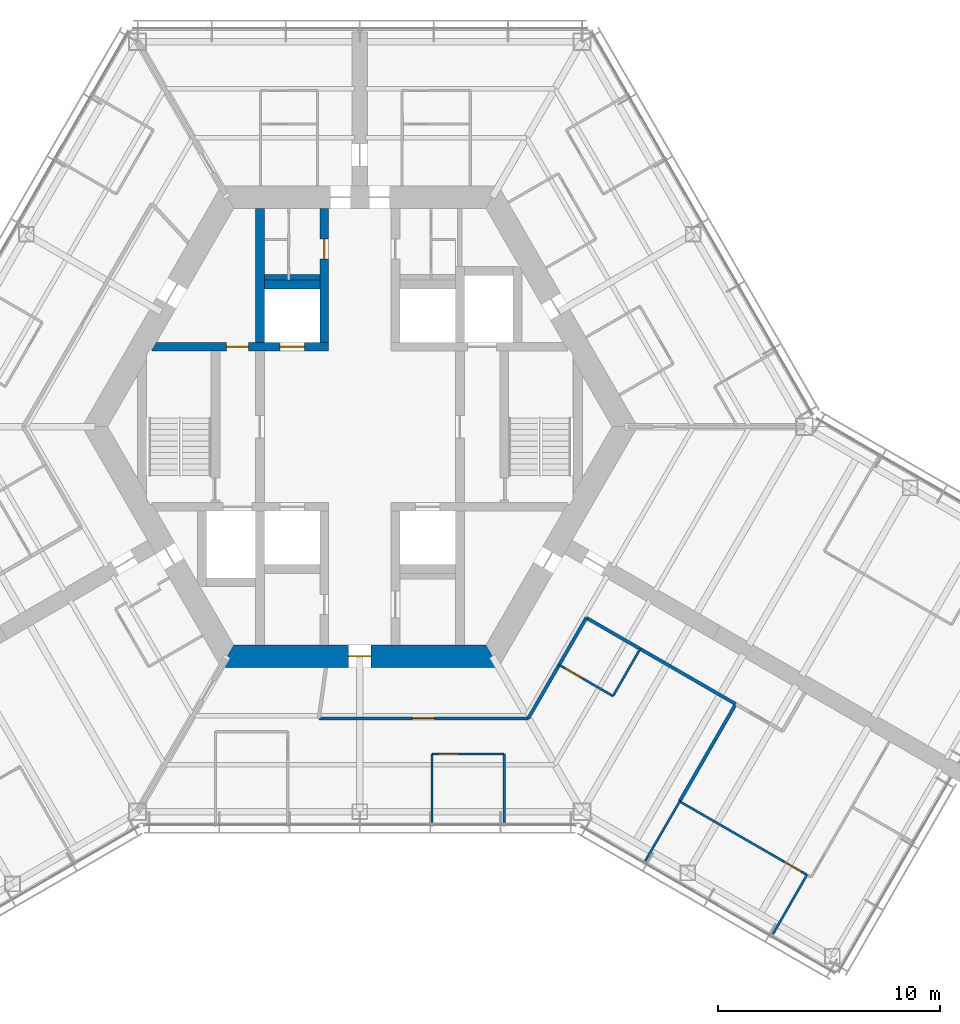
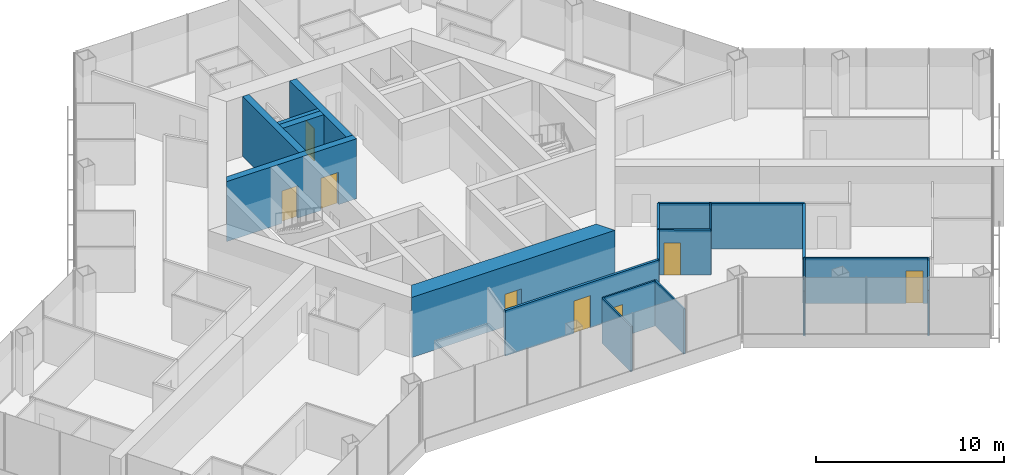
# One storey, part 13 of 19: 20 walls, 8 doors, 8 openings.
"""IFC4 building model written with IfcOpenShell, lengths in metres."""

from ifc_helpers import new_model, si_unit, direction, frame, frame_2d, origin, place, context, subcontext, project, spatial, polyline, rectangle, outline, extrude, material, layer, layer_set, type_object, element, fill, save


model = new_model("IFC4")

# Units and contexts
model_context = context("Model", 3, precision=1e-05, world=origin(), true_north=direction((0.0, 1.0)))
body_context = subcontext(model_context, "Body", "Model", "MODEL_VIEW")
ifc_project = project(units=[si_unit("LENGTHUNIT", "METRE"), si_unit("AREAUNIT", "SQUARE_METRE"), si_unit("VOLUMEUNIT", "CUBIC_METRE"), si_unit("PLANEANGLEUNIT", "RADIAN"), si_unit("MASSUNIT", "GRAM", prefix="KILO")], contexts=[model_context])

# Site, building, storey
site_placement = place(None, origin())
site = spatial("IfcSite", under=ifc_project, at=site_placement, CompositionType="ELEMENT")
building_placement = place(site_placement, origin())
building = spatial("IfcBuilding", under=site, at=building_placement, Name="Kasaneha Research Tower", CompositionType="ELEMENT")
storey_placement = place(building_placement, frame((0.0, 0.0, 164.300048828125)))
storey = spatial("IfcBuildingStorey", under=building, at=storey_placement, Name="L41", CompositionType="ELEMENT", Elevation=164.300048828125)

# Wall, openings, doors
ifc_material_1 = material(Name="Concrete Fc70", Category="concrete")
ifc_layer_1 = layer(ifc_material_1, 0.39990234375)
ifc_layer_set_1 = layer_set([ifc_layer_1], Name="Core internal wall 400 Fc70")
wall_type_1 = type_object("IfcWallType", Name="Core internal wall 400 Fc70", PredefinedType="SHEAR", material=ifc_layer_set_1)
wall_1_placement = place(storey_placement, frame((-9.266357421875, 3.60009765625, 0.0), z_axis=(0.0, 0.0, 1.0), x_axis=(1.0, 0.0, 0.0)))
wall_1 = element("IfcWall", 1, at=wall_1_placement, inside=storey, type_object=wall_type_1, Name="Core wall W1W L41", PredefinedType="SHEAR", context=body_context, shape_type="SweptSolid", body=[
    extrude(outline(polyline([(-0.115478515625, -0.199951171875), (3.266357421875, -0.199951171875), (4.266357421875, -0.199951171875), (5.66650390625, -0.199951171875), (6.7666015625, -0.199951171875), (7.866455078125, -0.199951171875), (7.866455078125, 0.199951171875), (6.7666015625, 0.199951171875), (5.66650390625, 0.199951171875), (4.266357421875, 0.199951171875), (3.266357421875, 0.199951171875), (0.115478515625, 0.199951171875), (-0.115478515625, -0.199951171875)])), origin(), (0.0, 0.0, 1.0), 3.89990234375),
])
opening_1_placement = place(wall_1_placement, frame((3.266357421875, 0.0, 0.0)))
opening_1 = element("IfcOpeningElement", 2, at=opening_1_placement, cuts=wall_1, Name="Opening L41-D12", PredefinedType="OPENING", context=body_context, shape_type="SweptSolid", body=[
    extrude(rectangle(XDim=1.0, YDim=2.10009765625, at=frame_2d((0.5, 1.050048828125))), frame((0.0, 0.2099609375, 0.0), z_axis=(0.0, -1.0, 0.0), x_axis=(1.0, 0.0, 0.0)), (0.0, 0.0, 1.0), 0.419921875),
])
opening_2_placement = place(wall_1_placement, frame((5.66650390625, 0.0, 0.0)))
opening_2 = element("IfcOpeningElement", 3, at=opening_2_placement, cuts=wall_1, Name="Opening LD-LM1-L41", PredefinedType="OPENING", context=body_context, shape_type="SweptSolid", body=[
    extrude(rectangle(XDim=1.10009765625, YDim=2.10009765625, at=frame_2d((0.550048828125, 1.050048828125))), frame((0.0, 0.2099609375, 0.0), z_axis=(0.0, -1.0, 0.0), x_axis=(1.0, 0.0, 0.0)), (0.0, 0.0, 1.0), 0.419921875),
])
ifc_material_2 = material(Name="Steel", Category="steel")
door_type_1 = type_object("IfcDoorType", Name="Lift landing door 1100x2100", OperationType="DOUBLE_DOOR_SLIDING", PredefinedType="DOOR", material=ifc_material_2)
door_1_placement = place(opening_2_placement, origin())
door_1 = element("IfcDoor", 4, at=door_1_placement, inside=storey, type_object=door_type_1, Name="Landing door LM1 LD-LM1-L41", OperationType="DOUBLE_DOOR_SLIDING", OverallHeight=2.10009765625, OverallWidth=1.10009765625, PredefinedType="DOOR", context=body_context, shape_type="SweptSolid", body=[
    extrude(rectangle(XDim=1.10009765625, YDim=2.10009765625, at=frame_2d((0.550048828125, 1.050048828125))), frame((0.0, 0.02490234375, 0.0), z_axis=(0.0, -1.0, 0.0), x_axis=(1.0, 0.0, 0.0)), (0.0, 0.0, 1.0), 0.050048828125),
])
fill(opening_2, door_1)
ifc_material_3 = material(Name="Steel", Category="steel")
door_type_2 = type_object("IfcDoorType", Name="Specified fire door FD60 1000x2100", OperationType="NOTDEFINED", PredefinedType="DOOR", material=ifc_material_3)
door_2_placement = place(opening_1_placement, origin())
door_2 = element("IfcDoor", 5, at=door_2_placement, inside=storey, type_object=door_type_2, Name="Vestibule to lobby door L41-D12", OperationType="SINGLE_SWING_LEFT", OverallHeight=2.10009765625, OverallWidth=1.0, PredefinedType="DOOR", context=body_context, shape_type="SweptSolid", body=[
    extrude(rectangle(XDim=1.0, YDim=2.10009765625, at=frame_2d((0.5, 1.050048828125))), frame((0.0, 0.02490234375, 0.0), z_axis=(0.0, -1.0, 0.0), x_axis=(1.0, 0.0, 0.0)), (0.0, 0.0, 1.0), 0.050048828125),
])
fill(opening_1, door_2)

# Wall, opening, door
wall_2_placement = place(storey_placement, frame((-1.60009765625, 3.800048828125, 0.0), z_axis=(0.0, 0.0, 1.0), x_axis=(0.0, 1.0, 0.0)))
wall_2 = element("IfcWall", 6, at=wall_2_placement, inside=storey, type_object=wall_type_1, Name="Core wall CNW L41", PredefinedType="SHEAR", context=body_context, shape_type="SweptSolid", body=[
    extrude(rectangle(XDim=6.02490234375, YDim=0.39990234375, at=frame_2d((3.012451171875, 0.0))), origin(), (0.0, 0.0, 1.0), 3.89990234375),
])
opening_3_placement = place(wall_2_placement, frame((3.75, 0.0, 0.0)))
opening_3 = element("IfcOpeningElement", 7, at=opening_3_placement, cuts=wall_2, Name="Opening L41-D13", PredefinedType="OPENING", context=body_context, shape_type="SweptSolid", body=[
    extrude(rectangle(XDim=0.89990234375, YDim=2.10009765625, at=frame_2d((0.449951171875, 1.050048828125))), frame((0.0, 0.2099609375, 0.0), z_axis=(0.0, -1.0, 0.0), x_axis=(1.0, 0.0, 0.0)), (0.0, 0.0, 1.0), 0.419921875),
])
ifc_material_4 = material(Name="Steel", Category="steel")
door_type_3 = type_object("IfcDoorType", Name="Toilet door FD20 900x2100", OperationType="NOTDEFINED", PredefinedType="DOOR", material=ifc_material_4)
door_3_placement = place(opening_3_placement, origin())
door_3 = element("IfcDoor", 8, at=door_3_placement, inside=storey, type_object=door_type_3, Name="Men's WC door L41-D13", OperationType="SINGLE_SWING_LEFT", OverallHeight=2.10009765625, OverallWidth=0.89990234375, PredefinedType="DOOR", context=body_context, shape_type="SweptSolid", body=[
    extrude(rectangle(XDim=0.89990234375, YDim=2.10009765625, at=frame_2d((0.449951171875, 1.050048828125))), frame((0.0, 0.02490234375, 0.0), z_axis=(0.0, -1.0, 0.0), x_axis=(1.0, 0.0, 0.0)), (0.0, 0.0, 1.0), 0.050048828125),
])
fill(opening_3, door_3)

# Walls
wall_3_placement = place(storey_placement, frame((-4.5, 3.800048828125, 0.0), z_axis=(0.0, 0.0, 1.0), x_axis=(0.0, 1.0, 0.0)))
element("IfcWall", 9, at=wall_3_placement, inside=storey, type_object=wall_type_1, Name="Core wall VNW L41", PredefinedType="SHEAR", context=body_context, shape_type="SweptSolid", body=[
    extrude(rectangle(XDim=6.02490234375, YDim=0.39990234375, at=frame_2d((3.012451171875, 0.0))), origin(), (0.0, 0.0, 1.0), 3.89990234375),
])
wall_4_placement = place(storey_placement, frame((-4.300048828125, 6.39990234375, 0.0), z_axis=(0.0, 0.0, 1.0), x_axis=(1.0, 0.0, 0.0)))
element("IfcWall", 10, at=wall_4_placement, inside=storey, type_object=wall_type_1, Name="Core wall N1N L41", PredefinedType="SHEAR", context=body_context, shape_type="SweptSolid", body=[
    extrude(rectangle(XDim=2.5, YDim=0.39990234375, at=frame_2d((1.25, 0.0))), origin(), (0.0, 0.0, 1.0), 3.89990234375),
])

# Wall, opening, door
ifc_material_5 = material(Name="Concrete Fc70", Category="concrete")
ifc_layer_2 = layer(ifc_material_5, 1.0)
ifc_layer_set_2 = layer_set([ifc_layer_2], Name="Core wall 1000 Fc70")
wall_type_2 = type_object("IfcWallType", Name="Core wall 1000 Fc70", PredefinedType="SHEAR", material=ifc_layer_set_2)
wall_5_placement = place(storey_placement, frame((-5.961181640625, -10.324951171875, 0.0), z_axis=(0.0, 0.0, 1.0), x_axis=(1.0, 0.0, 0.0)))
wall_5 = element("IfcWall", 11, at=wall_5_placement, inside=storey, type_object=wall_type_2, Name="Core wall 270 L41", PredefinedType="SHEAR", context=body_context, shape_type="SweptSolid", body=[
    extrude(outline(polyline([(-0.28857421875, -0.5), (5.461181640625, -0.5), (6.461181640625, -0.5), (12.2109375, -0.5), (11.6337890625, 0.5), (6.461181640625, 0.5), (5.461181640625, 0.5), (0.28857421875, 0.5), (-0.28857421875, -0.5)])), origin(), (0.0, 0.0, 1.0), 3.89990234375),
])
opening_4_placement = place(wall_5_placement, frame((5.461181640625, 0.0, 0.0)))
opening_4 = element("IfcOpeningElement", 12, at=opening_4_placement, cuts=wall_5, Name="Opening L41-D03", PredefinedType="OPENING", context=body_context, shape_type="SweptSolid", body=[
    extrude(rectangle(XDim=1.0, YDim=2.10009765625, at=frame_2d((0.5, 1.050048828125))), frame((0.0, 0.510009765625, 0.0), z_axis=(0.0, -1.0, 0.0), x_axis=(1.0, 0.0, 0.0)), (0.0, 0.0, 1.0), 1.02001953125),
])
ifc_material_6 = material(Name="Steel", Category="steel")
door_type_4 = type_object("IfcDoorType", Name="Fire door FD20 1000x2100", OperationType="NOTDEFINED", PredefinedType="DOOR", material=ifc_material_6)
door_4_placement = place(opening_4_placement, origin())
door_4 = element("IfcDoor", 13, at=door_4_placement, inside=storey, type_object=door_type_4, Name="Core door south L41-D03", OperationType="SINGLE_SWING_LEFT", OverallHeight=2.10009765625, OverallWidth=1.0, PredefinedType="DOOR", context=body_context, shape_type="SweptSolid", body=[
    extrude(rectangle(XDim=1.0, YDim=2.10009765625, at=frame_2d((0.5, 1.050048828125))), frame((0.0, 0.02490234375, 0.0), z_axis=(0.0, -1.0, 0.0), x_axis=(1.0, 0.0, 0.0)), (0.0, 0.0, 1.0), 0.050048828125),
])
fill(opening_4, door_4)

ifc_material_7 = material(Name="Gypsum board on steel studs, one layer each side", Category="steel")
ifc_layer_3 = layer(ifc_material_7, 0.10009765625)
ifc_layer_set_3 = layer_set([ifc_layer_3], Name="Office partition 100")
wall_type_3 = type_object("IfcWallType", Name="Office partition 100", PredefinedType="PARTITIONING", material=ifc_layer_set_3)
wall_6_placement = place(storey_placement, frame((11.3916015625, -12.119384765625, 0.0), z_axis=(0.0, 0.0, 1.0), x_axis=(-0.865255114713, 0.501331812737, 0.0)))
wall_6 = element("IfcWall", 14, at=wall_6_placement, inside=storey, type_object=wall_type_3, Name="Office partition FCS09 L41", PredefinedType="PARTITIONING", context=body_context, shape_type="SweptSolid", body=[
    extrude(rectangle(XDim=2.800048828125, YDim=0.10009765625, at=frame_2d((1.39990234375, 0.0))), origin(), (0.0, 0.0, 1.0), 2.949951171875),
])
opening_5_placement = place(wall_6_placement, frame((1.60009765625, 0.0, 0.0)))
opening_5 = element("IfcOpeningElement", 15, at=opening_5_placement, cuts=wall_6, Name="Opening L41-D49", PredefinedType="OPENING", context=body_context, shape_type="SweptSolid", body=[
    extrude(rectangle(XDim=0.89990234375, YDim=2.10009765625, at=frame_2d((0.449951171875, 1.050048828125))), frame((0.0, 0.06005859375, 0.0), z_axis=(0.0, -1.0, 0.0), x_axis=(1.0, 0.0, 0.0)), (0.0, 0.0, 1.0), 0.1201171875),
])
ifc_material_8 = material(Name="Timber veneer", Category="wood")
door_type_5 = type_object("IfcDoorType", Name="Office door 900x2100", OperationType="SINGLE_SWING_LEFT", PredefinedType="DOOR", material=ifc_material_8)
door_5_placement = place(opening_5_placement, origin())
door_5 = element("IfcDoor", 16, at=door_5_placement, inside=storey, type_object=door_type_5, Name="Pantry door L41-D49", OperationType="SINGLE_SWING_RIGHT", OverallHeight=2.10009765625, OverallWidth=0.89990234375, PredefinedType="DOOR", context=body_context, shape_type="SweptSolid", body=[
    extrude(rectangle(XDim=0.89990234375, YDim=2.10009765625, at=frame_2d((0.449951171875, 1.050048828125))), frame((0.0, 0.02490234375, 0.0), z_axis=(0.0, -1.0, 0.0), x_axis=(1.0, 0.0, 0.0)), (0.0, 0.0, 1.0), 0.050048828125),
])
fill(opening_5, door_5)

# Walls
wall_7_placement = place(storey_placement, frame((12.612548828125, -9.995361328125, 0.0), z_axis=(0.0, 0.0, 1.0), x_axis=(-0.498358783585, -0.86697088926, 0.0)))
element("IfcWall", 17, at=wall_7_placement, inside=storey, type_object=wall_type_3, Name="Office partition FCS10 L41", PredefinedType="PARTITIONING", context=body_context, shape_type="SweptSolid", body=[
    extrude(rectangle(XDim=2.449951171875, YDim=0.10009765625, at=frame_2d((1.22509765625, 0.0))), origin(), (0.0, 0.0, 1.0), 2.949951171875),
])
wall_8_placement = place(storey_placement, frame((20.1201171875, -20.1611328125, 0.0), z_axis=(0.0, 0.0, 1.0), x_axis=(-0.498424956379, -0.866932847952, 0.0)))
element("IfcWall", 18, at=wall_8_placement, inside=storey, type_object=wall_type_3, Name="Office partition FCS11 L41", PredefinedType="PARTITIONING", context=body_context, shape_type="SweptSolid", body=[
    extrude(rectangle(XDim=3.080078125, YDim=0.10009765625, at=frame_2d((1.5400390625, 0.0))), origin(), (0.0, 0.0, 1.0), 2.949951171875),
])
wall_9_placement = place(storey_placement, frame((12.839599609375, -19.543212890625, 0.0), z_axis=(0.0, 0.0, 1.0), x_axis=(0.501312084577, 0.865266544977, 0.0)))
element("IfcWall", 19, at=wall_9_placement, inside=storey, type_object=wall_type_3, Name="Office partition FCS12 L41", PredefinedType="PARTITIONING", context=body_context, shape_type="SweptSolid", body=[
    extrude(rectangle(XDim=3.105224609375, YDim=0.10009765625, at=frame_2d((1.552734375, 0.0))), origin(), (0.0, 0.0, 1.0), 2.949951171875),
])

# Wall, opening, door
wall_10_placement = place(storey_placement, frame((14.389892578125, -16.85791015625, 0.0), z_axis=(0.0, 0.0, 1.0), x_axis=(0.866056005776, -0.49994699205, 0.0)))
wall_10 = element("IfcWall", 20, at=wall_10_placement, inside=storey, type_object=wall_type_3, Name="Office partition FCS13 L41", PredefinedType="PARTITIONING", context=body_context, shape_type="SweptSolid", body=[
    extrude(rectangle(XDim=6.619873046875, YDim=0.10009765625, at=frame_2d((3.31005859375, 0.0))), origin(), (0.0, 0.0, 1.0), 2.949951171875),
])
opening_6_placement = place(wall_10_placement, frame((5.419677734375, 0.0, 0.0)))
opening_6 = element("IfcOpeningElement", 21, at=opening_6_placement, cuts=wall_10, Name="Opening L41-D50", PredefinedType="OPENING", context=body_context, shape_type="SweptSolid", body=[
    extrude(rectangle(XDim=0.89990234375, YDim=2.10009765625, at=frame_2d((0.449951171875, 1.050048828125))), frame((0.0, 0.06005859375, 0.0), z_axis=(0.0, -1.0, 0.0), x_axis=(1.0, 0.0, 0.0)), (0.0, 0.0, 1.0), 0.1201171875),
])
door_6_placement = place(opening_6_placement, origin())
door_6 = element("IfcDoor", 22, at=door_6_placement, inside=storey, type_object=door_type_5, Name="Manager's office door L41-D50", OperationType="SINGLE_SWING_RIGHT", OverallHeight=2.10009765625, OverallWidth=0.89990234375, PredefinedType="DOOR", context=body_context, shape_type="SweptSolid", body=[
    extrude(rectangle(XDim=0.89990234375, YDim=2.10009765625, at=frame_2d((0.449951171875, 1.050048828125))), frame((0.0, 0.02490234375, 0.0), z_axis=(0.0, -1.0, 0.0), x_axis=(1.0, 0.0, 0.0)), (0.0, 0.0, 1.0), 0.050048828125),
])
fill(opening_6, door_6)

# Wall
wall_11_placement = place(storey_placement, frame((3.246337890625, -17.800537109375, 0.0), z_axis=(0.0, 0.0, 1.0), x_axis=(0.0, 1.0, 0.0)))
element("IfcWall", 23, at=wall_11_placement, inside=storey, type_object=wall_type_3, Name="Office partition FCS20 L41", PredefinedType="PARTITIONING", context=body_context, shape_type="SweptSolid", body=[
    extrude(rectangle(XDim=3.080078125, YDim=0.10009765625, at=frame_2d((1.5400390625, 0.0))), origin(), (0.0, 0.0, 1.0), 2.949951171875),
])

# Wall, opening, door
wall_12_placement = place(storey_placement, frame((3.246337890625, -14.720458984375, 0.0), z_axis=(0.0, 0.0, 1.0), x_axis=(1.0, 0.0, 0.0)))
wall_12 = element("IfcWall", 24, at=wall_12_placement, inside=storey, type_object=wall_type_3, Name="Office partition FCS21 L41", PredefinedType="PARTITIONING", context=body_context, shape_type="SweptSolid", body=[
    extrude(rectangle(XDim=3.24658203125, YDim=0.10009765625, at=frame_2d((1.623291015625, 0.0))), origin(), (0.0, 0.0, 1.0), 2.949951171875),
])
opening_7_placement = place(wall_12_placement, frame((0.300048828125, 0.0, 0.0)))
opening_7 = element("IfcOpeningElement", 25, at=opening_7_placement, cuts=wall_12, Name="Opening L41-D54", PredefinedType="OPENING", context=body_context, shape_type="SweptSolid", body=[
    extrude(rectangle(XDim=0.89990234375, YDim=2.10009765625, at=frame_2d((0.449951171875, 1.050048828125))), frame((0.0, 0.06005859375, 0.0), z_axis=(0.0, -1.0, 0.0), x_axis=(1.0, 0.0, 0.0)), (0.0, 0.0, 1.0), 0.1201171875),
])
door_7_placement = place(opening_7_placement, origin())
door_7 = element("IfcDoor", 26, at=door_7_placement, inside=storey, type_object=door_type_5, Name="Phone room door L41-D54", OperationType="SINGLE_SWING_LEFT", OverallHeight=2.10009765625, OverallWidth=0.89990234375, PredefinedType="DOOR", context=body_context, shape_type="SweptSolid", body=[
    extrude(rectangle(XDim=0.89990234375, YDim=2.10009765625, at=frame_2d((0.449951171875, 1.050048828125))), frame((0.0, 0.02490234375, 0.0), z_axis=(0.0, -1.0, 0.0), x_axis=(1.0, 0.0, 0.0)), (0.0, 0.0, 1.0), 0.050048828125),
])
fill(opening_7, door_7)

# Walls
wall_13_placement = place(storey_placement, frame((6.492919921875, -14.720458984375, 0.0), z_axis=(0.0, 0.0, 1.0), x_axis=(0.0, -1.0, 0.0)))
element("IfcWall", 27, at=wall_13_placement, inside=storey, type_object=wall_type_3, Name="Office partition FCS22 L41", PredefinedType="PARTITIONING", context=body_context, shape_type="SweptSolid", body=[
    extrude(rectangle(XDim=3.080078125, YDim=0.10009765625, at=frame_2d((1.5400390625, 0.0))), origin(), (0.0, 0.0, 1.0), 2.949951171875),
])
ifc_material_9 = material(Name="Gypsum board on steel studs, two layers each side", Category="steel")
ifc_layer_4 = layer(ifc_material_9, 0.14990234375)
ifc_layer_set_4 = layer_set([ifc_layer_4], Name="Suite partition 150")
wall_type_4 = type_object("IfcWallType", Name="Suite partition 150", PredefinedType="PARTITIONING", material=ifc_layer_set_4)
wall_14_placement = place(storey_placement, frame((10.191650390625, -8.59765625, 0.0), z_axis=(0.0, 0.0, 1.0), x_axis=(-0.499989298045, -0.866031582473, 0.0)))
element("IfcWall", 28, at=wall_14_placement, inside=storey, type_object=wall_type_4, Name="Suite partition FCS01 L41", PredefinedType="PARTITIONING", context=body_context, shape_type="SweptSolid", body=[
    extrude(rectangle(XDim=2.455078125, YDim=0.14990234375, at=frame_2d((1.2275390625, 0.0))), origin(), (0.0, 0.0, 1.0), 2.949951171875),
])
wall_15_placement = place(storey_placement, frame((12.620849609375, -10.000244140625, 0.0), z_axis=(0.0, 0.0, 1.0), x_axis=(-0.866011654119, 0.500023814363, 0.0)))
element("IfcWall", 29, at=wall_15_placement, inside=storey, type_object=wall_type_4, Name="Suite partition FCS02 L41", PredefinedType="PARTITIONING", context=body_context, shape_type="SweptSolid", body=[
    extrude(rectangle(XDim=2.804931640625, YDim=0.14990234375, at=frame_2d((1.40234375, 0.0))), origin(), (0.0, 0.0, 1.0), 2.949951171875),
])

# Wall, opening, door
wall_16_placement = place(storey_placement, frame((7.57763671875, -13.125, 0.0), z_axis=(0.0, 0.0, 1.0), x_axis=(-1.0, 0.0, 0.0)))
wall_16 = element("IfcWall", 30, at=wall_16_placement, inside=storey, type_object=wall_type_4, Name="Suite partition FCS04 L41", PredefinedType="PARTITIONING", context=body_context, shape_type="SweptSolid", body=[
    extrude(rectangle(XDim=9.422119140625, YDim=0.14990234375, at=frame_2d((4.7109375, 0.0))), origin(), (0.0, 0.0, 1.0), 2.949951171875),
])
opening_8_placement = place(wall_16_placement, frame((4.211181640625, 0.0, 0.0)))
opening_8 = element("IfcOpeningElement", 31, at=opening_8_placement, cuts=wall_16, Name="Opening L41-D47", PredefinedType="OPENING", context=body_context, shape_type="SweptSolid", body=[
    extrude(rectangle(XDim=1.0, YDim=2.10009765625, at=frame_2d((0.5, 1.050048828125))), frame((0.0, 0.0849609375, 0.0), z_axis=(0.0, -1.0, 0.0), x_axis=(1.0, 0.0, 0.0)), (0.0, 0.0, 1.0), 0.169921875),
])
ifc_material_10 = material(Name="Steel", Category="steel")
door_type_6 = type_object("IfcDoorType", Name="Suite entrance door FD60 1000x2100", OperationType="NOTDEFINED", PredefinedType="DOOR", material=ifc_material_10)
door_8_placement = place(opening_8_placement, origin())
door_8 = element("IfcDoor", 32, at=door_8_placement, inside=storey, type_object=door_type_6, Name="Suite entrance door L41-D47", OperationType="SINGLE_SWING_LEFT", OverallHeight=2.10009765625, OverallWidth=1.0, PredefinedType="DOOR", context=body_context, shape_type="SweptSolid", body=[
    extrude(rectangle(XDim=1.0, YDim=2.10009765625, at=frame_2d((0.5, 1.050048828125))), frame((0.0, 0.02490234375, 0.0), z_axis=(0.0, -1.0, 0.0), x_axis=(1.0, 0.0, 0.0)), (0.0, 0.0, 1.0), 0.050048828125),
])
fill(opening_8, door_8)

# Walls
wall_17_placement = place(storey_placement, frame((8.96875, -10.715576171875, 0.0), z_axis=(0.0, 0.0, 1.0), x_axis=(-0.500008568482, -0.866020456713, 0.0)))
element("IfcWall", 33, at=wall_17_placement, inside=storey, type_object=wall_type_4, Name="Suite partition FCS05 L41", PredefinedType="PARTITIONING", context=body_context, shape_type="SweptSolid", body=[
    extrude(rectangle(XDim=2.7822265625, YDim=0.14990234375, at=frame_2d((1.39111328125, 0.0))), origin(), (0.0, 0.0, 1.0), 2.949951171875),
])
wall_18_placement = place(storey_placement, frame((16.92138671875, -12.483154296875, 0.0), z_axis=(0.0, 0.0, 1.0), x_axis=(-0.866018071205, 0.500012700186, 0.0)))
element("IfcWall", 34, at=wall_18_placement, inside=storey, type_object=wall_type_4, Name="Suite partition FCS06 L41", PredefinedType="PARTITIONING", context=body_context, shape_type="SweptSolid", body=[
    extrude(rectangle(XDim=4.975341796875, YDim=0.14990234375, at=frame_2d((2.48779296875, 0.0))), origin(), (0.0, 0.0, 1.0), 2.949951171875),
])
wall_19_placement = place(storey_placement, frame((16.91259765625, -12.478515625, 0.0), z_axis=(0.0, 0.0, 1.0), x_axis=(-0.499184300032, -0.866495836459, 0.0)))
element("IfcWall", 35, at=wall_19_placement, inside=storey, type_object=wall_type_4, Name="Suite partition FCS23 L41", PredefinedType="PARTITIONING", context=body_context, shape_type="SweptSolid", body=[
    extrude(rectangle(XDim=5.05419921875, YDim=0.14990234375, at=frame_2d((2.527099609375, 0.0))), origin(), (0.0, 0.0, 1.0), 2.949951171875),
])
ifc_material_11 = material(Name="Concrete block lining", Category="concrete")
ifc_layer_5 = layer(ifc_material_11, 0.25)
ifc_layer_set_5 = layer_set([ifc_layer_5], Name="WC plumbing wall 250")
wall_type_5 = type_object("IfcWallType", Name="WC plumbing wall 250", PredefinedType="PLUMBINGWALL", material=ifc_layer_set_5)
wall_20_placement = place(storey_placement, frame((-4.300048828125, 6.72509765625, 0.0), z_axis=(0.0, 0.0, 1.0), x_axis=(1.0, 0.0, 0.0)))
element("IfcWall", 36, at=wall_20_placement, inside=storey, type_object=wall_type_5, Name="WC plumbing wall M L41", PredefinedType="PLUMBINGWALL", context=body_context, shape_type="SweptSolid", body=[
    extrude(rectangle(XDim=2.5, YDim=0.25, at=frame_2d((1.25, 0.0))), origin(), (0.0, 0.0, 1.0), 3.89990234375),
])

save(model, "model.ifc")
